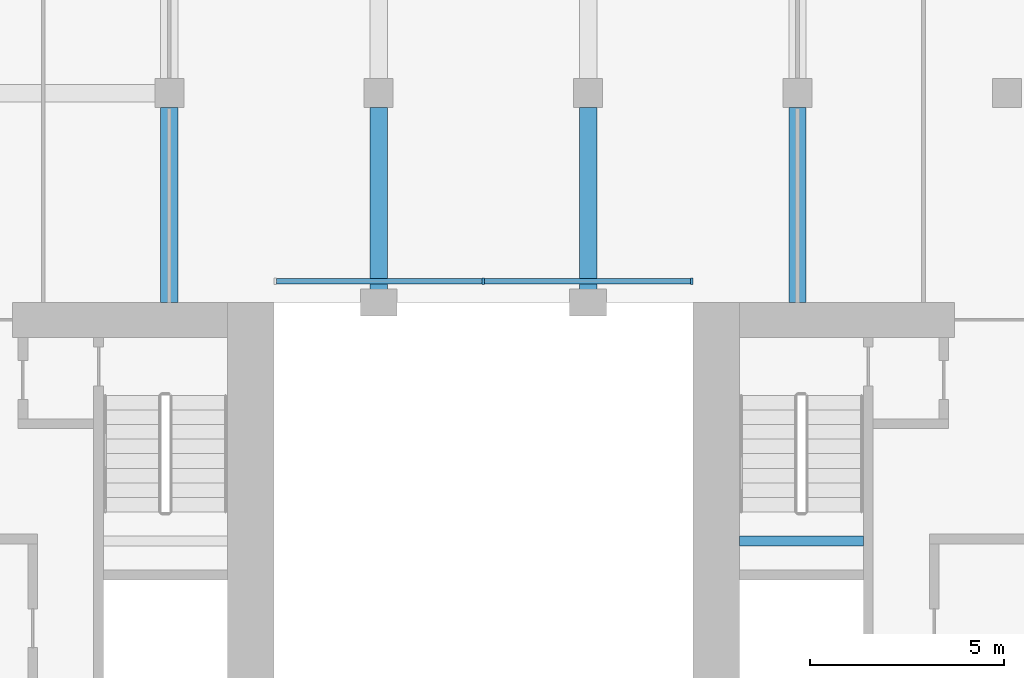
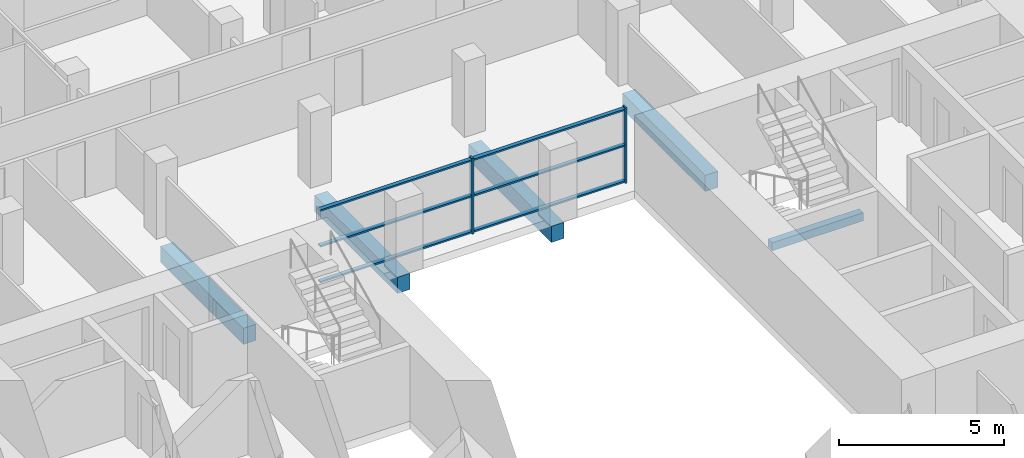
# One storey, part 4 of 14: 8 members, 5 beams, 1 element without a shape of its own.
"""IFC4 building model written with IfcOpenShell, lengths in metres."""

from ifc_helpers import new_model, si_unit, direction, frame, origin, origin_2d, place, context, subcontext, project, spatial, rectangle, extrude, material, material_profile, profile_set, type_object, element, aggregate, save


model = new_model("IFC4")

# Units and contexts
model_context = context("Model", 3, precision=1e-05, world=origin(), true_north=direction((0.0, 1.0)))
body_context = subcontext(model_context, "Body", "Model", "MODEL_VIEW")
ifc_project = project(units=[si_unit("LENGTHUNIT", "METRE"), si_unit("AREAUNIT", "SQUARE_METRE"), si_unit("VOLUMEUNIT", "CUBIC_METRE"), si_unit("PLANEANGLEUNIT", "RADIAN"), si_unit("MASSUNIT", "GRAM", prefix="KILO")], contexts=[model_context])

# Site, building, storey
site_placement = place(None, origin())
site = spatial("IfcSite", under=ifc_project, at=site_placement, CompositionType="ELEMENT")
building_placement = place(site_placement, origin())
building = spatial("IfcBuilding", under=site, at=building_placement, Name="Tabaq Tower and Sports Hall", CompositionType="ELEMENT")
storey_placement = place(building_placement, frame((0.0, 0.0, 230.199951171875)))
storey = spatial("IfcBuildingStorey", under=building, at=storey_placement, Name="L58", CompositionType="ELEMENT", Elevation=230.199951171875)

# Curtain wall, members
ifc_material_1 = material(Name="Aluminium alloy 6063-T6 framed glazing", Category="aluminium")
curtain_wall_type = type_object("IfcCurtainWallType", Name="CW1 curtain wall", PredefinedType="USERDEFINED", material=ifc_material_1)
curtain_wall_placement = place(storey_placement, origin())
curtain_wall = element("IfcCurtainWall", 1, at=curtain_wall_placement, inside=storey, type_object=curtain_wall_type, Name="Atrium glazing L58 N", ObjectType="ATRIUM ENCLOSURE", PredefinedType="USERDEFINED")
ifc_material_2 = material(Name="Aluminium alloy 6063-T6", Category="aluminium")
ifc_material_profile_1 = material_profile(ifc_material_2, rectangle(XDim=0.159912109375, YDim=0.06005859375, at=origin_2d()), Name="MULLION 160x60")
ifc_profile_set_1 = profile_set([ifc_material_profile_1], Name="Aluminium alloy 6063-T6")
member_type_1 = type_object("IfcMemberType", Name="CW1 mullion 160x60", PredefinedType="MULLION", material=ifc_profile_set_1)
member_1_placement = place(storey_placement, frame((24.300048828125, 32.949951171875, 0.0), z_axis=(0.0, 0.0, 1.0), x_axis=(0.0, 1.0, 0.0)))
member_1 = element("IfcMember", 2, at=member_1_placement, type_object=member_type_1, Name="CW1 mullion 2", PredefinedType="MULLION", context=body_context, shape_type="SweptSolid", body=[
    extrude(rectangle(XDim=0.159912109375, YDim=0.06005859375, at=origin_2d()), origin(), (0.0, 0.0, 1.0), 2.800048828125),
])
member_2_placement = place(storey_placement, frame((29.669921875, 32.949951171875, 0.0), z_axis=(0.0, 0.0, 1.0), x_axis=(0.0, 1.0, 0.0)))
member_2 = element("IfcMember", 3, at=member_2_placement, type_object=member_type_1, Name="CW1 mullion 3", PredefinedType="MULLION", context=body_context, shape_type="SweptSolid", body=[
    extrude(rectangle(XDim=0.159912109375, YDim=0.06005859375, at=origin_2d()), origin(), (0.0, 0.0, 1.0), 2.800048828125),
])
ifc_material_3 = material(Name="Aluminium alloy 6063-T6", Category="aluminium")
ifc_material_profile_2 = material_profile(ifc_material_3, rectangle(XDim=0.139892578125, YDim=0.06005859375, at=origin_2d()), Name="TRANSOM 140x60")
ifc_profile_set_2 = profile_set([ifc_material_profile_2], Name="Aluminium alloy 6063-T6")
member_type_2 = type_object("IfcMemberType", Name="CW1 transom 140x60", PredefinedType="USERDEFINED", material=ifc_profile_set_2)
member_3_placement = place(storey_placement, frame((18.9599609375, 32.949951171875, 0.070068359375), z_axis=(1.0, 0.0, 0.0), x_axis=(0.0, 1.0, 0.0)))
member_3 = element("IfcMember", 4, at=member_3_placement, type_object=member_type_2, Name="CW1 transom 1.1", ObjectType="TRANSOM", PredefinedType="USERDEFINED", context=body_context, shape_type="SweptSolid", body=[
    extrude(rectangle(XDim=0.139892578125, YDim=0.06005859375, at=origin_2d()), origin(), (0.0, 0.0, 1.0), 5.31005859375),
])
member_4_placement = place(storey_placement, frame((18.9599609375, 32.949951171875, 1.400146484375), z_axis=(1.0, 0.0, 0.0), x_axis=(0.0, 1.0, 0.0)))
member_4 = element("IfcMember", 5, at=member_4_placement, type_object=member_type_2, Name="CW1 transom 1.2", ObjectType="TRANSOM", PredefinedType="USERDEFINED", context=body_context, shape_type="SweptSolid", body=[
    extrude(rectangle(XDim=0.139892578125, YDim=0.06005859375, at=origin_2d()), origin(), (0.0, 0.0, 1.0), 5.31005859375),
])
member_5_placement = place(storey_placement, frame((18.9599609375, 32.949951171875, 2.72998046875), z_axis=(1.0, 0.0, 0.0), x_axis=(0.0, 1.0, 0.0)))
member_5 = element("IfcMember", 6, at=member_5_placement, type_object=member_type_2, Name="CW1 transom 1.3", ObjectType="TRANSOM", PredefinedType="USERDEFINED", context=body_context, shape_type="SweptSolid", body=[
    extrude(rectangle(XDim=0.139892578125, YDim=0.06005859375, at=origin_2d()), origin(), (0.0, 0.0, 1.0), 5.31005859375),
])
member_6_placement = place(storey_placement, frame((24.330078125, 32.949951171875, 0.070068359375), z_axis=(1.0, 0.0, 0.0), x_axis=(0.0, 1.0, 0.0)))
member_6 = element("IfcMember", 7, at=member_6_placement, type_object=member_type_2, Name="CW1 transom 2.1", ObjectType="TRANSOM", PredefinedType="USERDEFINED", context=body_context, shape_type="SweptSolid", body=[
    extrude(rectangle(XDim=0.139892578125, YDim=0.06005859375, at=origin_2d()), origin(), (0.0, 0.0, 1.0), 5.309814453125),
])
member_7_placement = place(storey_placement, frame((24.330078125, 32.949951171875, 1.400146484375), z_axis=(1.0, 0.0, 0.0), x_axis=(0.0, 1.0, 0.0)))
member_7 = element("IfcMember", 8, at=member_7_placement, type_object=member_type_2, Name="CW1 transom 2.2", ObjectType="TRANSOM", PredefinedType="USERDEFINED", context=body_context, shape_type="SweptSolid", body=[
    extrude(rectangle(XDim=0.139892578125, YDim=0.06005859375, at=origin_2d()), origin(), (0.0, 0.0, 1.0), 5.309814453125),
])
member_8_placement = place(storey_placement, frame((24.330078125, 32.949951171875, 2.72998046875), z_axis=(1.0, 0.0, 0.0), x_axis=(0.0, 1.0, 0.0)))
member_8 = element("IfcMember", 9, at=member_8_placement, type_object=member_type_2, Name="CW1 transom 2.3", ObjectType="TRANSOM", PredefinedType="USERDEFINED", context=body_context, shape_type="SweptSolid", body=[
    extrude(rectangle(XDim=0.139892578125, YDim=0.06005859375, at=origin_2d()), origin(), (0.0, 0.0, 1.0), 5.309814453125),
])
aggregate(curtain_wall, [member_1, member_2, member_3, member_4, member_5, member_6, member_7, member_8])

# Beams
ifc_material_4 = material(Name="Concrete C40/50", Category="concrete")
ifc_material_profile_3 = material_profile(ifc_material_4, rectangle(XDim=0.449951171875, YDim=0.60009765625, at=origin_2d()), Name="CB 450x600")
ifc_profile_set_3 = profile_set([ifc_material_profile_3], Name="Concrete C40/50")
beam_type_1 = type_object("IfcBeamType", Name="PT CANTILEVER BEAM CB 450x600 C40/50", PredefinedType="BEAM", material=ifc_profile_set_3)
for number, where, z_axis, x_axis, name in (
    (10, (16.199951171875, 37.425048828125, -0.599853515625), (0.0, -1.0, 0.0), (1.0, 0.0, 0.0), "Cantilever Beam L58 N3 span 3"),
    (11, (21.60009765625, 37.425048828125, -0.599853515625), (0.0, -1.0, 0.0), (1.0, 0.0, 0.0), "Cantilever Beam L58 N4 span 3"),
    (12, (27.0, 37.425048828125, -0.599853515625), (0.0, -1.0, 0.0), (1.0, 0.0, 0.0), "Cantilever Beam L58 N5 span 3"),
    (13, (32.39990234375, 37.425048828125, -0.599853515625), (0.0, -1.0, 0.0), (1.0, 0.0, 0.0), "Cantilever Beam L58 N6 span 3"),
):
    element("IfcBeam", number, at=place(storey_placement, frame(where, z_axis=z_axis, x_axis=x_axis)), inside=storey, type_object=beam_type_1, Name=name, PredefinedType="BEAM", context=body_context, shape_type="SweptSolid", body=[
        extrude(rectangle(XDim=0.449951171875, YDim=0.60009765625, at=origin_2d()), origin(), (0.0, 0.0, 1.0), 5.025146484375),
    ])
ifc_material_5 = material(Name="Concrete C40/50", Category="concrete")
ifc_material_profile_4 = material_profile(ifc_material_5, rectangle(XDim=0.25, YDim=0.300048828125, at=origin_2d()), Name="RC 250x300")
ifc_profile_set_4 = profile_set([ifc_material_profile_4], Name="Concrete C40/50")
beam_type_2 = type_object("IfcBeamType", Name="Stair landing beam 250x300", PredefinedType="BEAM", material=ifc_profile_set_4)
beam_placement = place(storey_placement, frame((30.89990234375, 26.25, 1.300048828125), z_axis=(1.0, 0.0, 0.0), x_axis=(0.0, 1.0, 0.0)))
element("IfcBeam", 14, at=beam_placement, inside=storey, type_object=beam_type_2, Name="L58 ST4 landing beam 1", PredefinedType="BEAM", context=body_context, shape_type="SweptSolid", body=[
    extrude(rectangle(XDim=0.25, YDim=0.300048828125, at=origin_2d()), origin(), (0.0, 0.0, 1.0), 3.2001953125),
])

save(model, "model.ifc")
